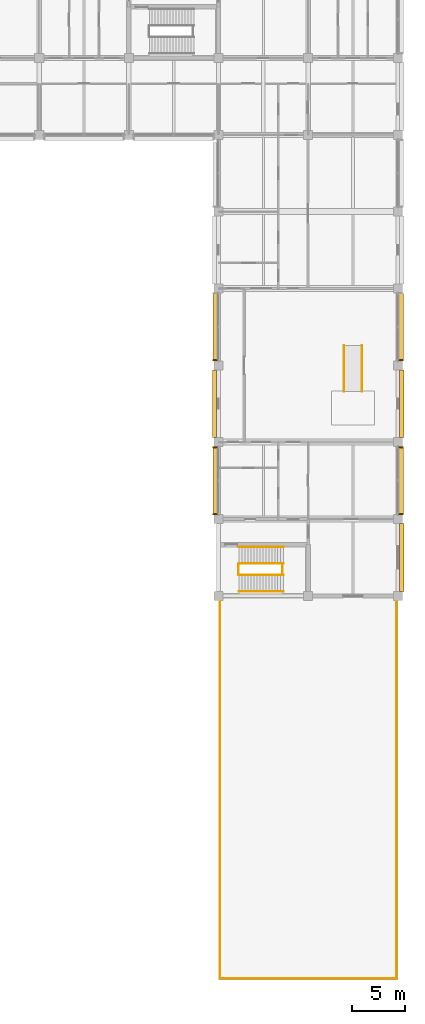
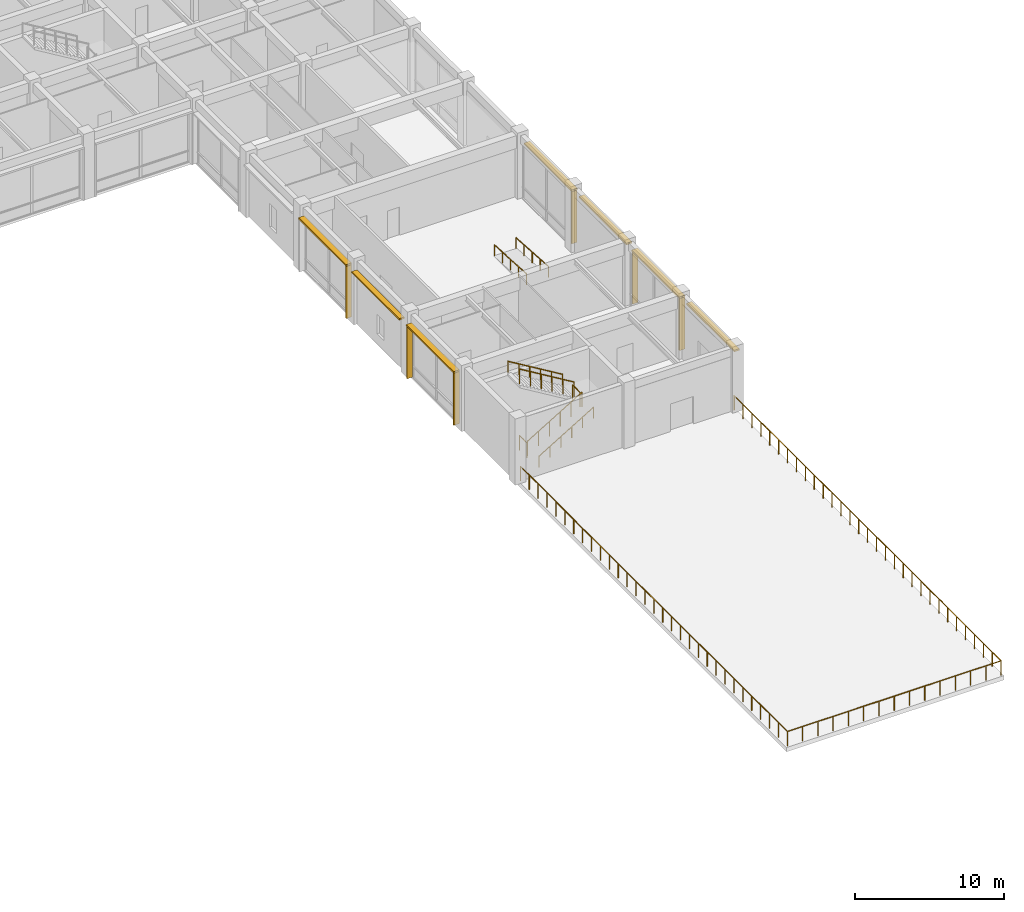
# One storey, part 50 of 51: 13 shading devices, 11 railings.
"""IFC4 building model written with IfcOpenShell, lengths in metres."""

from ifc_helpers import new_model, si_unit, direction, frame, origin, origin_2d, place, context, subcontext, project, spatial, rectangle, circle, extrude, material, type_object, element, save


model = new_model("IFC4")

# Units and contexts
model_context = context("Model", 3, precision=1e-05, world=origin(), true_north=direction((0.0, 1.0)))
body_context = subcontext(model_context, "Body", "Model", "MODEL_VIEW")
ifc_project = project(units=[si_unit("LENGTHUNIT", "METRE"), si_unit("AREAUNIT", "SQUARE_METRE"), si_unit("VOLUMEUNIT", "CUBIC_METRE"), si_unit("PLANEANGLEUNIT", "RADIAN"), si_unit("MASSUNIT", "GRAM", prefix="KILO")], contexts=[model_context])

# Site, building, storey
site_placement = place(None, origin())
site = spatial("IfcSite", under=ifc_project, at=site_placement, CompositionType="ELEMENT")
building_placement = place(site_placement, origin())
building = spatial("IfcBuilding", under=site, at=building_placement, Name="Chengyuan Square Courthouse", CompositionType="ELEMENT")
storey_placement = place(building_placement, frame((0.0, 0.0, 10.800048828125)))
storey = spatial("IfcBuildingStorey", under=building, at=storey_placement, Name="L03", CompositionType="ELEMENT", Elevation=10.800048828125)

# Railings
ifc_material_1 = material(Name="Stainless Steel S30408 and Laminated Glass Balustrade", Category="steel")
railing_type_1 = type_object("IfcRailingType", Name="RL-01", PredefinedType="BALUSTRADE", material=ifc_material_1)
railing_1_placement = place(storey_placement, frame((167.860107421875, 35.860107421875, 0.0)))
element("IfcRailing", 1, at=railing_1_placement, inside=storey, type_object=railing_type_1, Name="Terrace Safety Balustrade RL-TER-004", PredefinedType="BALUSTRADE", context=body_context, shape_type="SweptSolid", body=[
    extrude(circle(Radius=0.02392578125, at=origin_2d()), frame((0.0, 0.0, 1.17578125), z_axis=(0.0, -1.0, 0.0), x_axis=(1.0, 0.0, 0.0)), (0.0, 0.0, 1.0), 35.72021484375),
    extrude(circle(Radius=0.02099609375, at=origin_2d()), origin(), (0.0, 0.0, 1.0), 1.15185546875),
    extrude(circle(Radius=0.02099609375, at=origin_2d()), frame((0.0, -1.190673828125, 0.0)), (0.0, 0.0, 1.0), 1.15185546875),
    extrude(circle(Radius=0.02099609375, at=origin_2d()), frame((0.0, -2.38134765625, 0.0)), (0.0, 0.0, 1.0), 1.15185546875),
    extrude(circle(Radius=0.02099609375, at=origin_2d()), frame((0.0, -3.572021484375, 0.0)), (0.0, 0.0, 1.0), 1.15185546875),
    extrude(circle(Radius=0.02099609375, at=origin_2d()), frame((0.0, -4.7626953125, 0.0)), (0.0, 0.0, 1.0), 1.15185546875),
    extrude(circle(Radius=0.02099609375, at=origin_2d()), frame((0.0, -5.953369140625, 0.0)), (0.0, 0.0, 1.0), 1.15185546875),
    extrude(circle(Radius=0.02099609375, at=origin_2d()), frame((0.0, -7.14404296875, 0.0)), (0.0, 0.0, 1.0), 1.15185546875),
    extrude(circle(Radius=0.02099609375, at=origin_2d()), frame((0.0, -8.334716796875, 0.0)), (0.0, 0.0, 1.0), 1.15185546875),
    extrude(circle(Radius=0.02099609375, at=origin_2d()), frame((0.0, -9.525390625, 0.0)), (0.0, 0.0, 1.0), 1.15185546875),
    extrude(circle(Radius=0.02099609375, at=origin_2d()), frame((0.0, -10.716064453125, 0.0)), (0.0, 0.0, 1.0), 1.15185546875),
    extrude(circle(Radius=0.02099609375, at=origin_2d()), frame((0.0, -11.90673828125, 0.0)), (0.0, 0.0, 1.0), 1.15185546875),
    extrude(circle(Radius=0.02099609375, at=origin_2d()), frame((0.0, -13.097412109375, 0.0)), (0.0, 0.0, 1.0), 1.15185546875),
    extrude(circle(Radius=0.02099609375, at=origin_2d()), frame((0.0, -14.2880859375, 0.0)), (0.0, 0.0, 1.0), 1.15185546875),
    extrude(circle(Radius=0.02099609375, at=origin_2d()), frame((0.0, -15.478759765625, 0.0)), (0.0, 0.0, 1.0), 1.15185546875),
    extrude(circle(Radius=0.02099609375, at=origin_2d()), frame((0.0, -16.66943359375, 0.0)), (0.0, 0.0, 1.0), 1.15185546875),
    extrude(circle(Radius=0.02099609375, at=origin_2d()), frame((0.0, -17.860107421875, 0.0)), (0.0, 0.0, 1.0), 1.15185546875),
    extrude(circle(Radius=0.02099609375, at=origin_2d()), frame((0.0, -19.05078125, 0.0)), (0.0, 0.0, 1.0), 1.15185546875),
    extrude(circle(Radius=0.02099609375, at=origin_2d()), frame((0.0, -20.241455078125, 0.0)), (0.0, 0.0, 1.0), 1.15185546875),
    extrude(circle(Radius=0.02099609375, at=origin_2d()), frame((0.0, -21.43212890625, 0.0)), (0.0, 0.0, 1.0), 1.15185546875),
    extrude(circle(Radius=0.02099609375, at=origin_2d()), frame((0.0, -22.622802734375, 0.0)), (0.0, 0.0, 1.0), 1.15185546875),
    extrude(circle(Radius=0.02099609375, at=origin_2d()), frame((0.0, -23.8134765625, 0.0)), (0.0, 0.0, 1.0), 1.15185546875),
    extrude(circle(Radius=0.02099609375, at=origin_2d()), frame((0.0, -25.004150390625, 0.0)), (0.0, 0.0, 1.0), 1.15185546875),
    extrude(circle(Radius=0.02099609375, at=origin_2d()), frame((0.0, -26.19482421875, 0.0)), (0.0, 0.0, 1.0), 1.15185546875),
    extrude(circle(Radius=0.02099609375, at=origin_2d()), frame((0.0, -27.385498046875, 0.0)), (0.0, 0.0, 1.0), 1.15185546875),
    extrude(circle(Radius=0.02099609375, at=origin_2d()), frame((0.0, -28.576171875, 0.0)), (0.0, 0.0, 1.0), 1.15185546875),
    extrude(circle(Radius=0.02099609375, at=origin_2d()), frame((0.0, -29.766845703125, 0.0)), (0.0, 0.0, 1.0), 1.15185546875),
    extrude(circle(Radius=0.02099609375, at=origin_2d()), frame((0.0, -30.95751953125, 0.0)), (0.0, 0.0, 1.0), 1.15185546875),
    extrude(circle(Radius=0.02099609375, at=origin_2d()), frame((0.0, -32.148193359375, 0.0)), (0.0, 0.0, 1.0), 1.15185546875),
    extrude(circle(Radius=0.02099609375, at=origin_2d()), frame((0.0, -33.3388671875, 0.0)), (0.0, 0.0, 1.0), 1.15185546875),
    extrude(circle(Radius=0.02099609375, at=origin_2d()), frame((0.0, -34.529541015625, 0.0)), (0.0, 0.0, 1.0), 1.15185546875),
    extrude(circle(Radius=0.02099609375, at=origin_2d()), frame((0.0, -35.72021484375, 0.0)), (0.0, 0.0, 1.0), 1.15185546875),
])
railing_2_placement = place(storey_placement, frame((167.860107421875, 0.139892578125, 0.0)))
element("IfcRailing", 2, at=railing_2_placement, inside=storey, type_object=railing_type_1, Name="Terrace Safety Balustrade RL-TER-005", PredefinedType="BALUSTRADE", context=body_context, shape_type="SweptSolid", body=[
    extrude(circle(Radius=0.02392578125, at=origin_2d()), frame((0.0, 0.0, 1.17578125), z_axis=(-1.0, 0.0, 0.0), x_axis=(0.0, -1.0, 0.0)), (0.0, 0.0, 1.0), 16.52001953125),
    extrude(circle(Radius=0.02099609375, at=origin_2d()), origin(), (0.0, 0.0, 1.0), 1.15185546875),
    extrude(circle(Radius=0.02099609375, at=origin_2d()), frame((-1.179931640625, 0.0, 0.0)), (0.0, 0.0, 1.0), 1.15185546875),
    extrude(circle(Radius=0.02099609375, at=origin_2d()), frame((-2.360107421875, 0.0, 0.0)), (0.0, 0.0, 1.0), 1.15185546875),
    extrude(circle(Radius=0.02099609375, at=origin_2d()), frame((-3.5400390625, 0.0, 0.0)), (0.0, 0.0, 1.0), 1.15185546875),
    extrude(circle(Radius=0.02099609375, at=origin_2d()), frame((-4.719970703125, 0.0, 0.0)), (0.0, 0.0, 1.0), 1.15185546875),
    extrude(circle(Radius=0.02099609375, at=origin_2d()), frame((-5.89990234375, 0.0, 0.0)), (0.0, 0.0, 1.0), 1.15185546875),
    extrude(circle(Radius=0.02099609375, at=origin_2d()), frame((-7.080078125, 0.0, 0.0)), (0.0, 0.0, 1.0), 1.15185546875),
    extrude(circle(Radius=0.02099609375, at=origin_2d()), frame((-8.260009765625, 0.0, 0.0)), (0.0, 0.0, 1.0), 1.15185546875),
    extrude(circle(Radius=0.02099609375, at=origin_2d()), frame((-9.43994140625, 0.0, 0.0)), (0.0, 0.0, 1.0), 1.15185546875),
    extrude(circle(Radius=0.02099609375, at=origin_2d()), frame((-10.6201171875, 0.0, 0.0)), (0.0, 0.0, 1.0), 1.15185546875),
    extrude(circle(Radius=0.02099609375, at=origin_2d()), frame((-11.800048828125, 0.0, 0.0)), (0.0, 0.0, 1.0), 1.15185546875),
    extrude(circle(Radius=0.02099609375, at=origin_2d()), frame((-12.97998046875, 0.0, 0.0)), (0.0, 0.0, 1.0), 1.15185546875),
    extrude(circle(Radius=0.02099609375, at=origin_2d()), frame((-14.159912109375, 0.0, 0.0)), (0.0, 0.0, 1.0), 1.15185546875),
    extrude(circle(Radius=0.02099609375, at=origin_2d()), frame((-15.340087890625, 0.0, 0.0)), (0.0, 0.0, 1.0), 1.15185546875),
    extrude(circle(Radius=0.02099609375, at=origin_2d()), frame((-16.52001953125, 0.0, 0.0)), (0.0, 0.0, 1.0), 1.15185546875),
])
railing_3_placement = place(storey_placement, frame((151.340087890625, 0.139892578125, 0.0)))
element("IfcRailing", 3, at=railing_3_placement, inside=storey, type_object=railing_type_1, Name="Terrace Safety Balustrade RL-TER-006", PredefinedType="BALUSTRADE", context=body_context, shape_type="SweptSolid", body=[
    extrude(circle(Radius=0.02392578125, at=origin_2d()), frame((0.0, 0.0, 1.17578125), z_axis=(0.0, 1.0, 0.0), x_axis=(-1.0, 0.0, 0.0)), (0.0, 0.0, 1.0), 35.72021484375),
    extrude(circle(Radius=0.02099609375, at=origin_2d()), origin(), (0.0, 0.0, 1.0), 1.15185546875),
    extrude(circle(Radius=0.02099609375, at=origin_2d()), frame((0.0, 1.190673828125, 0.0)), (0.0, 0.0, 1.0), 1.15185546875),
    extrude(circle(Radius=0.02099609375, at=origin_2d()), frame((0.0, 2.38134765625, 0.0)), (0.0, 0.0, 1.0), 1.15185546875),
    extrude(circle(Radius=0.02099609375, at=origin_2d()), frame((0.0, 3.572021484375, 0.0)), (0.0, 0.0, 1.0), 1.15185546875),
    extrude(circle(Radius=0.02099609375, at=origin_2d()), frame((0.0, 4.7626953125, 0.0)), (0.0, 0.0, 1.0), 1.15185546875),
    extrude(circle(Radius=0.02099609375, at=origin_2d()), frame((0.0, 5.953369140625, 0.0)), (0.0, 0.0, 1.0), 1.15185546875),
    extrude(circle(Radius=0.02099609375, at=origin_2d()), frame((0.0, 7.14404296875, 0.0)), (0.0, 0.0, 1.0), 1.15185546875),
    extrude(circle(Radius=0.02099609375, at=origin_2d()), frame((0.0, 8.334716796875, 0.0)), (0.0, 0.0, 1.0), 1.15185546875),
    extrude(circle(Radius=0.02099609375, at=origin_2d()), frame((0.0, 9.525390625, 0.0)), (0.0, 0.0, 1.0), 1.15185546875),
    extrude(circle(Radius=0.02099609375, at=origin_2d()), frame((0.0, 10.716064453125, 0.0)), (0.0, 0.0, 1.0), 1.15185546875),
    extrude(circle(Radius=0.02099609375, at=origin_2d()), frame((0.0, 11.90673828125, 0.0)), (0.0, 0.0, 1.0), 1.15185546875),
    extrude(circle(Radius=0.02099609375, at=origin_2d()), frame((0.0, 13.097412109375, 0.0)), (0.0, 0.0, 1.0), 1.15185546875),
    extrude(circle(Radius=0.02099609375, at=origin_2d()), frame((0.0, 14.2880859375, 0.0)), (0.0, 0.0, 1.0), 1.15185546875),
    extrude(circle(Radius=0.02099609375, at=origin_2d()), frame((0.0, 15.478759765625, 0.0)), (0.0, 0.0, 1.0), 1.15185546875),
    extrude(circle(Radius=0.02099609375, at=origin_2d()), frame((0.0, 16.66943359375, 0.0)), (0.0, 0.0, 1.0), 1.15185546875),
    extrude(circle(Radius=0.02099609375, at=origin_2d()), frame((0.0, 17.860107421875, 0.0)), (0.0, 0.0, 1.0), 1.15185546875),
    extrude(circle(Radius=0.02099609375, at=origin_2d()), frame((0.0, 19.05078125, 0.0)), (0.0, 0.0, 1.0), 1.15185546875),
    extrude(circle(Radius=0.02099609375, at=origin_2d()), frame((0.0, 20.241455078125, 0.0)), (0.0, 0.0, 1.0), 1.15185546875),
    extrude(circle(Radius=0.02099609375, at=origin_2d()), frame((0.0, 21.43212890625, 0.0)), (0.0, 0.0, 1.0), 1.15185546875),
    extrude(circle(Radius=0.02099609375, at=origin_2d()), frame((0.0, 22.622802734375, 0.0)), (0.0, 0.0, 1.0), 1.15185546875),
    extrude(circle(Radius=0.02099609375, at=origin_2d()), frame((0.0, 23.8134765625, 0.0)), (0.0, 0.0, 1.0), 1.15185546875),
    extrude(circle(Radius=0.02099609375, at=origin_2d()), frame((0.0, 25.004150390625, 0.0)), (0.0, 0.0, 1.0), 1.15185546875),
    extrude(circle(Radius=0.02099609375, at=origin_2d()), frame((0.0, 26.19482421875, 0.0)), (0.0, 0.0, 1.0), 1.15185546875),
    extrude(circle(Radius=0.02099609375, at=origin_2d()), frame((0.0, 27.385498046875, 0.0)), (0.0, 0.0, 1.0), 1.15185546875),
    extrude(circle(Radius=0.02099609375, at=origin_2d()), frame((0.0, 28.576171875, 0.0)), (0.0, 0.0, 1.0), 1.15185546875),
    extrude(circle(Radius=0.02099609375, at=origin_2d()), frame((0.0, 29.766845703125, 0.0)), (0.0, 0.0, 1.0), 1.15185546875),
    extrude(circle(Radius=0.02099609375, at=origin_2d()), frame((0.0, 30.95751953125, 0.0)), (0.0, 0.0, 1.0), 1.15185546875),
    extrude(circle(Radius=0.02099609375, at=origin_2d()), frame((0.0, 32.148193359375, 0.0)), (0.0, 0.0, 1.0), 1.15185546875),
    extrude(circle(Radius=0.02099609375, at=origin_2d()), frame((0.0, 33.3388671875, 0.0)), (0.0, 0.0, 1.0), 1.15185546875),
    extrude(circle(Radius=0.02099609375, at=origin_2d()), frame((0.0, 34.529541015625, 0.0)), (0.0, 0.0, 1.0), 1.15185546875),
    extrude(circle(Radius=0.02099609375, at=origin_2d()), frame((0.0, 35.72021484375, 0.0)), (0.0, 0.0, 1.0), 1.15185546875),
])
ifc_material_2 = material(Name="Tempered Glass and Timber Top-Rail Balustrade", Category="wood")
railing_type_2 = type_object("IfcRailingType", Name="RL-02", PredefinedType="BALUSTRADE", material=ifc_material_2)
for number, where, name in (
    (4, (153.090087890625, 38.0, 0.0), "Stair Floor Slot Guard ST-8 L03"),
    (5, (157.18994140625, 38.0, 2.699951171875), "Stair Landing Guard ST-8-L03"),
):
    element("IfcRailing", number, at=place(storey_placement, frame(where)), inside=storey, type_object=railing_type_2, Name=name, PredefinedType="BALUSTRADE", context=body_context, shape_type="SweptSolid", body=[
        extrude(circle(Radius=0.02392578125, at=origin_2d()), frame((0.0, 0.0, 1.17578125), z_axis=(0.0, 1.0, 0.0), x_axis=(-1.0, 0.0, 0.0)), (0.0, 0.0, 1.0), 1.0),
        extrude(circle(Radius=0.02099609375, at=origin_2d()), origin(), (0.0, 0.0, 1.0), 1.15185546875),
        extrude(circle(Radius=0.02099609375, at=origin_2d()), frame((0.0, 1.0, 0.0)), (0.0, 0.0, 1.0), 1.15185546875),
    ])
railing_4_placement = place(storey_placement, frame((153.110107421875, 37.949951171875, 0.168701171875)))
element("IfcRailing", 6, at=railing_4_placement, inside=storey, type_object=railing_type_2, Name="Stair Flight 1 Guard ST-8-L03", PredefinedType="BALUSTRADE", context=body_context, shape_type="SweptSolid", body=[
    extrude(circle(Radius=0.02392578125, at=origin_2d()), frame((0.0, 0.0, 1.17578125), z_axis=(0.856476492594, 0.0, 0.516186030065), x_axis=(0.0, 1.0, 0.0)), (0.0, 0.0, 1.0), 4.90380859375),
    extrude(circle(Radius=0.02099609375, at=origin_2d()), origin(), (0.0, 0.0, 1.0), 1.15185546875),
    extrude(circle(Radius=0.02099609375, at=origin_2d()), frame((0.840087890625, 0.0, 0.50634765625)), (0.0, 0.0, 1.0), 1.15185546875),
    extrude(circle(Radius=0.02099609375, at=origin_2d()), frame((1.679931640625, 0.0, 1.012451171875)), (0.0, 0.0, 1.0), 1.15185546875),
    extrude(circle(Radius=0.02099609375, at=origin_2d()), frame((2.52001953125, 0.0, 1.518798828125)), (0.0, 0.0, 1.0), 1.15185546875),
    extrude(circle(Radius=0.02099609375, at=origin_2d()), frame((3.35986328125, 0.0, 2.02490234375)), (0.0, 0.0, 1.0), 1.15185546875),
    extrude(circle(Radius=0.02099609375, at=origin_2d()), frame((4.199951171875, 0.0, 2.53125)), (0.0, 0.0, 1.0), 1.15185546875),
])
railing_5_placement = place(storey_placement, frame((157.31005859375, 39.050048828125, 2.86865234375)))
element("IfcRailing", 7, at=railing_5_placement, inside=storey, type_object=railing_type_2, Name="Stair Flight 2 Guard ST-8-L03", PredefinedType="BALUSTRADE", context=body_context, shape_type="SweptSolid", body=[
    extrude(circle(Radius=0.02392578125, at=origin_2d()), frame((0.0, 0.0, 1.17578125), z_axis=(-0.856476492594, 0.0, 0.516186030065), x_axis=(0.0, -1.0, 0.0)), (0.0, 0.0, 1.0), 4.90380859375),
    extrude(circle(Radius=0.02099609375, at=origin_2d()), origin(), (0.0, 0.0, 1.0), 1.15185546875),
    extrude(circle(Radius=0.02099609375, at=origin_2d()), frame((-0.840087890625, 0.0, 0.50634765625)), (0.0, 0.0, 1.0), 1.15185546875),
    extrude(circle(Radius=0.02099609375, at=origin_2d()), frame((-1.679931640625, 0.0, 1.012451171875)), (0.0, 0.0, 1.0), 1.15185546875),
    extrude(circle(Radius=0.02099609375, at=origin_2d()), frame((-2.52001953125, 0.0, 1.518798828125)), (0.0, 0.0, 1.0), 1.15185546875),
    extrude(circle(Radius=0.02099609375, at=origin_2d()), frame((-3.35986328125, 0.0, 2.02490234375)), (0.0, 0.0, 1.0), 1.15185546875),
    extrude(circle(Radius=0.02099609375, at=origin_2d()), frame((-4.199951171875, 0.0, 2.53125)), (0.0, 0.0, 1.0), 1.15185546875),
])
ifc_material_3 = material(Name="Stainless Steel S30408 Tubular Handrail", Category="steel")
railing_type_3 = type_object("IfcRailingType", Name="RL-03", PredefinedType="HANDRAIL", material=ifc_material_3)
for number, where, name in (
    (8, (162.9599609375, 59.469970703125, 0.0), "Accessible Bench Ramp Handrail 2.1"),
    (9, (164.639892578125, 59.469970703125, 0.0), "Accessible Bench Ramp Handrail 2.2"),
):
    element("IfcRailing", number, at=place(storey_placement, frame(where)), inside=storey, type_object=railing_type_3, Name=name, PredefinedType="HANDRAIL", context=body_context, shape_type="SweptSolid", body=[
        extrude(circle(Radius=0.02392578125, at=origin_2d()), frame((0.0, 0.0, 0.8759765625), z_axis=(0.0, -0.99805235901, 0.06238179763), x_axis=(1.0, 0.0, 0.0)), (0.0, 0.0, 1.0), 4.32861328125),
        extrude(circle(Radius=0.02099609375, at=origin_2d()), origin(), (0.0, 0.0, 1.0), 0.851806640625),
        extrude(circle(Radius=0.02099609375, at=origin_2d()), frame((0.0, -1.080078125, 0.0673828125)), (0.0, 0.0, 1.0), 0.851806640625),
        extrude(circle(Radius=0.02099609375, at=origin_2d()), frame((0.0, -2.16015625, 0.135009765625)), (0.0, 0.0, 1.0), 0.851806640625),
        extrude(circle(Radius=0.02099609375, at=origin_2d()), frame((0.0, -3.239990234375, 0.20263671875)), (0.0, 0.0, 1.0), 0.851806640625),
        extrude(circle(Radius=0.02099609375, at=origin_2d()), frame((0.0, -4.320068359375, 0.27001953125)), (0.0, 0.0, 1.0), 0.851806640625),
    ])
ifc_material_4 = material(Name="Stainless Steel S30408 Stair Handrail", Category="steel")
railing_type_4 = type_object("IfcRailingType", Name="RL-04", PredefinedType="HANDRAIL", material=ifc_material_4)
railing_6_placement = place(storey_placement, frame((153.110107421875, 36.419921875, 0.168701171875)))
element("IfcRailing", 10, at=railing_6_placement, inside=storey, type_object=railing_type_4, Name="Stair Flight 1 Handrail ST-8-L03", PredefinedType="HANDRAIL", context=body_context, shape_type="SweptSolid", body=[
    extrude(circle(Radius=0.02392578125, at=origin_2d()), frame((0.0, 0.0, 0.8759765625), z_axis=(0.856476492594, 0.0, 0.516186030065), x_axis=(0.0, 1.0, 0.0)), (0.0, 0.0, 1.0), 4.90380859375),
    extrude(circle(Radius=0.02099609375, at=origin_2d()), origin(), (0.0, 0.0, 1.0), 0.851806640625),
    extrude(circle(Radius=0.02099609375, at=origin_2d()), frame((0.840087890625, 0.0, 0.50634765625)), (0.0, 0.0, 1.0), 0.851806640625),
    extrude(circle(Radius=0.02099609375, at=origin_2d()), frame((1.679931640625, 0.0, 1.012451171875)), (0.0, 0.0, 1.0), 0.851806640625),
    extrude(circle(Radius=0.02099609375, at=origin_2d()), frame((2.52001953125, 0.0, 1.518798828125)), (0.0, 0.0, 1.0), 0.851806640625),
    extrude(circle(Radius=0.02099609375, at=origin_2d()), frame((3.35986328125, 0.0, 2.02490234375)), (0.0, 0.0, 1.0), 0.851806640625),
    extrude(circle(Radius=0.02099609375, at=origin_2d()), frame((4.199951171875, 0.0, 2.53125)), (0.0, 0.0, 1.0), 0.851806640625),
])
railing_7_placement = place(storey_placement, frame((157.31005859375, 40.580078125, 2.86865234375)))
element("IfcRailing", 11, at=railing_7_placement, inside=storey, type_object=railing_type_4, Name="Stair Flight 2 Handrail ST-8-L03", PredefinedType="HANDRAIL", context=body_context, shape_type="SweptSolid", body=[
    extrude(circle(Radius=0.02392578125, at=origin_2d()), frame((0.0, 0.0, 0.8759765625), z_axis=(-0.856476492594, 0.0, 0.516186030065), x_axis=(0.0, -1.0, 0.0)), (0.0, 0.0, 1.0), 4.90380859375),
    extrude(circle(Radius=0.02099609375, at=origin_2d()), origin(), (0.0, 0.0, 1.0), 0.851806640625),
    extrude(circle(Radius=0.02099609375, at=origin_2d()), frame((-0.840087890625, 0.0, 0.50634765625)), (0.0, 0.0, 1.0), 0.851806640625),
    extrude(circle(Radius=0.02099609375, at=origin_2d()), frame((-1.679931640625, 0.0, 1.012451171875)), (0.0, 0.0, 1.0), 0.851806640625),
    extrude(circle(Radius=0.02099609375, at=origin_2d()), frame((-2.52001953125, 0.0, 1.518798828125)), (0.0, 0.0, 1.0), 0.851806640625),
    extrude(circle(Radius=0.02099609375, at=origin_2d()), frame((-3.35986328125, 0.0, 2.02490234375)), (0.0, 0.0, 1.0), 0.851806640625),
    extrude(circle(Radius=0.02099609375, at=origin_2d()), frame((-4.199951171875, 0.0, 2.53125)), (0.0, 0.0, 1.0), 0.851806640625),
])

# Shading devices
ifc_material_5 = material(Name="Glulam TCt28 Solar Shading Fin", Category="wood")
shading_device_type_1 = type_object("IfcShadingDeviceType", Name="SHD-01", PredefinedType="JALOUSIE", material=ifc_material_5)
for number, where, z_axis, x_axis, name in (
    (12, (150.887939453125, 43.6650390625, 0.0400390625), (0.0, 0.0, 1.0), (1.0, 0.0, 0.0), "Glulam Solar Fin SHD-L03-0379"),
    (13, (150.887939453125, 49.93505859375, 0.0400390625), (0.0, 0.0, 1.0), (1.0, 0.0, 0.0), "Glulam Solar Fin SHD-L03-0380"),
    (14, (150.887939453125, 58.06494140625, 0.0400390625), (0.0, 0.0, 1.0), (1.0, 0.0, 0.0), "Glulam Solar Fin SHD-L03-0383"),
    (15, (168.31201171875, 43.6650390625, 0.0400390625), (0.0, 0.0, 1.0), (1.0, 0.0, 0.0), "Glulam Solar Fin SHD-L03-0390"),
    (16, (168.31201171875, 49.93505859375, 0.0400390625), (0.0, 0.0, 1.0), (1.0, 0.0, 0.0), "Glulam Solar Fin SHD-L03-0391"),
    (17, (168.31201171875, 58.06494140625, 0.0400390625), (0.0, 0.0, 1.0), (1.0, 0.0, 0.0), "Glulam Solar Fin SHD-L03-0394"),
):
    element("IfcShadingDevice", number, at=place(storey_placement, frame(where, z_axis=z_axis, x_axis=x_axis)), inside=storey, type_object=shading_device_type_1, Name=name, PredefinedType="JALOUSIE", context=body_context, shape_type="SweptSolid", body=[
        extrude(rectangle(XDim=0.419921875, YDim=0.094970703125, at=origin_2d()), origin(), (0.0, 0.0, 1.0), 4.260009765625),
    ])
ifc_material_6 = material(Name="Glulam TCt28 Sunshade Louvre", Category="wood")
shading_device_type_2 = type_object("IfcShadingDeviceType", Name="SHD-02", PredefinedType="AWNING", material=ifc_material_6)
for number, where, z_axis, x_axis, name in (
    (18, (150.887939453125, 46.800048828125, 4.2998046875), (0.0, 0.0, 1.0), (0.0, 1.0, 0.0), "Glulam Sunshade Louvre SHD-L03-0381"),
    (19, (150.887939453125, 61.199951171875, 4.2998046875), (0.0, 0.0, 1.0), (0.0, 1.0, 0.0), "Glulam Sunshade Louvre SHD-L03-0385"),
    (20, (168.31201171875, 46.800048828125, 4.2998046875), (0.0, 0.0, 1.0), (0.0, 1.0, 0.0), "Glulam Sunshade Louvre SHD-L03-0392"),
    (21, (168.31201171875, 61.199951171875, 4.2998046875), (0.0, 0.0, 1.0), (0.0, 1.0, 0.0), "Glulam Sunshade Louvre SHD-L03-0396"),
):
    element("IfcShadingDevice", number, at=place(storey_placement, frame(where, z_axis=z_axis, x_axis=x_axis)), inside=storey, type_object=shading_device_type_2, Name=name, PredefinedType="AWNING", context=body_context, shape_type="SweptSolid", body=[
        extrude(rectangle(XDim=6.35009765625, YDim=0.43994140625, at=origin_2d()), origin(), (0.0, 0.0, 1.0), 0.139892578125),
    ])
ifc_material_7 = material(Name="Glulam TCt28 Facade Sunshade", Category="wood")
shading_device_type_3 = type_object("IfcShadingDeviceType", Name="SHD-03", PredefinedType="AWNING", material=ifc_material_7)
for number, where, z_axis, x_axis, name in (
    (22, (150.818115234375, 54.0, 4.27978515625), (0.0, 0.0, 1.0), (0.0, 1.0, 0.0), "Glulam Facade Sunshade SHD-L03-0382"),
    (23, (168.382080078125, 39.60009765625, 4.27978515625), (0.0, 0.0, 1.0), (0.0, 1.0, 0.0), "Glulam Facade Sunshade SHD-L03-0389"),
    (24, (168.382080078125, 54.0, 4.27978515625), (0.0, 0.0, 1.0), (0.0, 1.0, 0.0), "Glulam Facade Sunshade SHD-L03-0393"),
):
    element("IfcShadingDevice", number, at=place(storey_placement, frame(where, z_axis=z_axis, x_axis=x_axis)), inside=storey, type_object=shading_device_type_3, Name=name, PredefinedType="AWNING", context=body_context, shape_type="SweptSolid", body=[
        extrude(rectangle(XDim=6.360107421875, YDim=0.39990234375, at=origin_2d()), origin(), (0.0, 0.0, 1.0), 0.139892578125),
    ])

save(model, "model.ifc")
